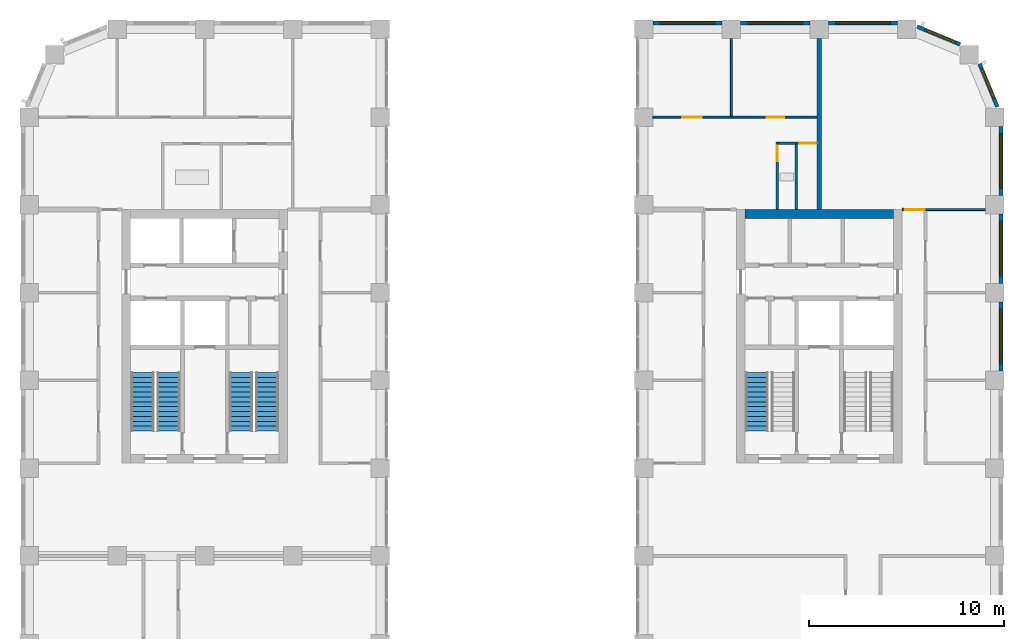
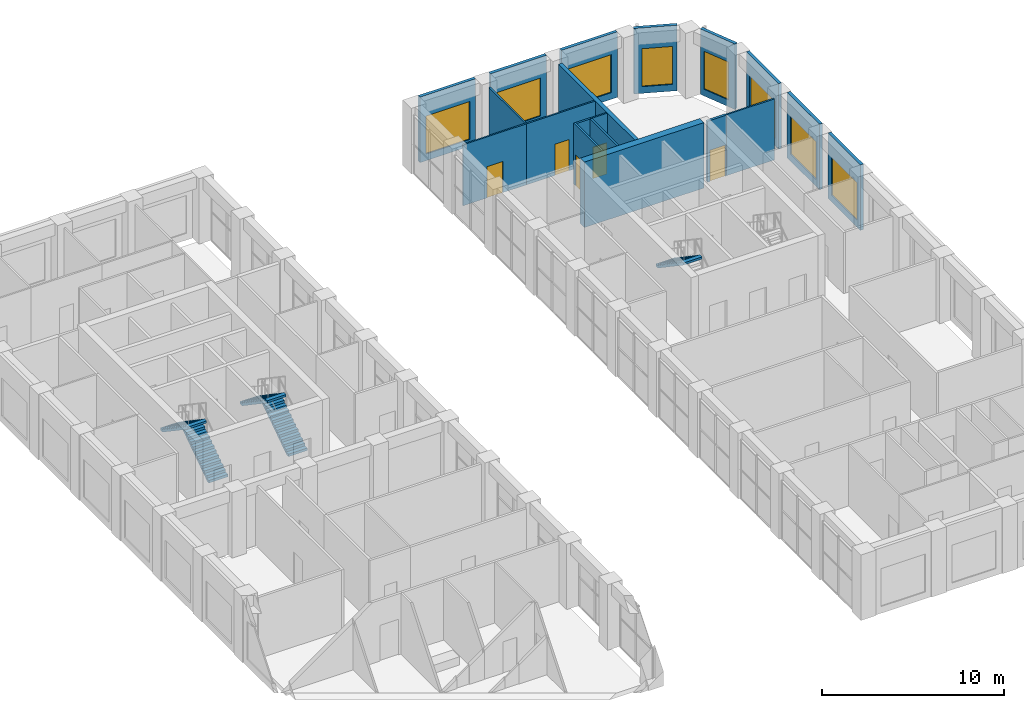
# One storey, part 15 of 19: 19 walls, 8 windows, 5 doors, 5 stair flights, 13 openings, 3 elements without a shape of their own.
"""IFC4 building model written with IfcOpenShell, lengths in metres."""

from ifc_helpers import new_model, si_unit, direction, frame, frame_2d, origin, place, context, subcontext, project, spatial, polyline, rectangle, outline, extrude, material, layer, layer_set, type_object, element, fill, aggregate, save


model = new_model("IFC4")

# Units and contexts
model_context = context("Model", 3, precision=1e-05, world=origin(), true_north=direction((0.0, 1.0)))
body_context = subcontext(model_context, "Body", "Model", "MODEL_VIEW")
ifc_project = project(units=[si_unit("LENGTHUNIT", "METRE"), si_unit("AREAUNIT", "SQUARE_METRE"), si_unit("VOLUMEUNIT", "CUBIC_METRE"), si_unit("PLANEANGLEUNIT", "RADIAN"), si_unit("MASSUNIT", "GRAM", prefix="KILO")], contexts=[model_context])

# Site, building, storey
site_placement = place(None, origin())
site = spatial("IfcSite", under=ifc_project, at=site_placement, CompositionType="ELEMENT")
building_placement = place(site_placement, origin())
building = spatial("IfcBuilding", under=site, at=building_placement, Name="Girih Gate Residences", CompositionType="ELEMENT")
storey_placement = place(building_placement, frame((0.0, 0.0, 163.800048828125)))
storey = spatial("IfcBuildingStorey", under=building, at=storey_placement, Name="L45", CompositionType="ELEMENT", Elevation=163.800048828125)

# Wall
ifc_material_1 = material(Name="Gypsum board on steel studs", Category="steel")
ifc_layer_1 = layer(ifc_material_1, 0.25)
ifc_layer_set_1 = layer_set([ifc_layer_1], Name="Acoustic separating wall 250 mm")
wall_type_1 = type_object("IfcWallType", Name="Acoustic separating wall 250 mm", PredefinedType="PARTITIONING", material=ifc_layer_set_1)
wall_1_placement = place(storey_placement, frame((40.5, 40.25, 0.0), z_axis=(0.0, 0.0, 1.0), x_axis=(0.0, 1.0, 0.0)))
element("IfcWall", 1, at=wall_1_placement, inside=storey, type_object=wall_type_1, Name="L45 partition", PredefinedType="PARTITIONING", context=body_context, shape_type="SweptSolid", body=[
    extrude(rectangle(XDim=8.77490234375, YDim=0.25, at=frame_2d((4.387451171875, 0.0))), origin(), (0.0, 0.0, 1.0), 4.099853515625),
])

# Wall, opening, door
ifc_layer_2 = layer(ifc_material_1, 0.14990234375)
ifc_layer_set_2 = layer_set([ifc_layer_2], Name="Compartment wall 150 mm")
wall_type_2 = type_object("IfcWallType", Name="Compartment wall 150 mm", PredefinedType="PARTITIONING", material=ifc_layer_set_2)
wall_2_placement = place(storey_placement, frame((44.75, 40.25, 0.0), z_axis=(0.0, 0.0, 1.0), x_axis=(1.0, 0.0, 0.0)))
wall_2 = element("IfcWall", 2, at=wall_2_placement, inside=storey, type_object=wall_type_2, Name="L45 partition", PredefinedType="PARTITIONING", context=body_context, shape_type="SweptSolid", body=[
    extrude(rectangle(XDim=1.199951171875, YDim=0.14990234375, at=frame_2d((0.60009765625, 0.0))), origin(), (0.0, 0.0, 1.0), 4.099853515625),
])
opening_1_placement = place(wall_2_placement, frame((0.14990234375, 0.0, 0.0)))
opening_1 = element("IfcOpeningElement", 3, at=opening_1_placement, cuts=wall_2, Name="Opening A45-036", PredefinedType="OPENING", context=body_context, shape_type="SweptSolid", body=[
    extrude(rectangle(XDim=1.0, YDim=2.10009765625, at=frame_2d((0.5, 1.050048828125))), frame((0.0, 0.0849609375, 0.0), z_axis=(0.0, -1.0, 0.0), x_axis=(1.0, 0.0, 0.0)), (0.0, 0.0, 1.0), 0.169921875),
])
ifc_material_2 = material(Name="Timber, fire-rated core", Category="wood")
door_type_1 = type_object("IfcDoorType", Name="Amenity room door 1000x2100 FD30S", OperationType="NOTDEFINED", PredefinedType="DOOR", material=ifc_material_2)
door_1_placement = place(opening_1_placement, origin())
door_1 = element("IfcDoor", 4, at=door_1_placement, inside=storey, type_object=door_type_1, Name="Door A45-036", OperationType="SINGLE_SWING_RIGHT", OverallHeight=2.10009765625, OverallWidth=1.0, PredefinedType="DOOR", context=body_context, shape_type="SweptSolid", body=[
    extrude(rectangle(XDim=1.0, YDim=2.10009765625, at=frame_2d((0.5, 1.050048828125))), frame((0.0, 0.02490234375, 0.0), z_axis=(0.0, -1.0, 0.0), x_axis=(1.0, 0.0, 0.0)), (0.0, 0.0, 1.0), 0.050048828125),
])
fill(opening_1, door_1)

# Wall
ifc_material_3 = material(Name="Concrete C60/75", Category="concrete")
ifc_layer_3 = layer(ifc_material_3, 0.449951171875)
ifc_layer_set_3 = layer_set([ifc_layer_3], Name="Core wall RC 450 Concrete C60/75")
wall_type_3 = type_object("IfcWallType", Name="Core wall RC 450 Concrete C60/75", PredefinedType="SOLIDWALL", material=ifc_layer_set_3)
wall_3_placement = place(storey_placement, frame((36.699951171875, 40.02490234375, 0.0), z_axis=(0.0, 0.0, 1.0), x_axis=(1.0, 0.0, 0.0)))
element("IfcWall", 5, at=wall_3_placement, inside=storey, type_object=wall_type_3, Name="Core wall E-N L45", PredefinedType="SOLIDWALL", context=body_context, shape_type="SweptSolid", body=[
    extrude(rectangle(XDim=7.60009765625, YDim=0.449951171875, at=frame_2d((3.800048828125, 0.0))), origin(), (0.0, 0.0, 1.0), 4.39990234375),
])

# Wall, opening, door
ifc_layer_4 = layer(ifc_material_1, 0.10009765625)
ifc_layer_set_4 = layer_set([ifc_layer_4], Name="Partition 100 mm")
wall_type_4 = type_object("IfcWallType", Name="Partition 100 mm", PredefinedType="PARTITIONING", material=ifc_layer_set_4)
wall_4_placement = place(storey_placement, frame((36.0, 45.0, 0.0), z_axis=(0.0, 0.0, 1.0), x_axis=(1.0, 0.0, 0.0)))
wall_4 = element("IfcWall", 6, at=wall_4_placement, inside=storey, type_object=wall_type_4, Name="L45 partition", PredefinedType="PARTITIONING", context=body_context, shape_type="SweptSolid", body=[
    extrude(rectangle(XDim=4.375, YDim=0.10009765625, at=frame_2d((2.1875, 0.0))), origin(), (0.0, 0.0, 1.0), 4.099853515625),
])
opening_2_placement = place(wall_4_placement, frame((1.800048828125, 0.0, 0.0)))
opening_2 = element("IfcOpeningElement", 7, at=opening_2_placement, cuts=wall_4, Name="Opening A45-026", PredefinedType="OPENING", context=body_context, shape_type="SweptSolid", body=[
    extrude(rectangle(XDim=0.89990234375, YDim=2.10009765625, at=frame_2d((0.449951171875, 1.050048828125))), frame((0.0, 0.06005859375, 0.0), z_axis=(0.0, -1.0, 0.0), x_axis=(1.0, 0.0, 0.0)), (0.0, 0.0, 1.0), 0.1201171875),
])
ifc_material_4 = material(Name="Timber", Category="wood")
door_type_2 = type_object("IfcDoorType", Name="Bedroom door 900x2100", OperationType="NOTDEFINED", PredefinedType="DOOR", material=ifc_material_4)
door_2_placement = place(opening_2_placement, origin())
door_2 = element("IfcDoor", 8, at=door_2_placement, inside=storey, type_object=door_type_2, Name="Door A45-026", OperationType="SINGLE_SWING_RIGHT", OverallHeight=2.10009765625, OverallWidth=0.89990234375, PredefinedType="DOOR", context=body_context, shape_type="SweptSolid", body=[
    extrude(rectangle(XDim=0.89990234375, YDim=2.10009765625, at=frame_2d((0.449951171875, 1.050048828125))), frame((0.0, 0.02490234375, 0.0), z_axis=(0.0, -1.0, 0.0), x_axis=(1.0, 0.0, 0.0)), (0.0, 0.0, 1.0), 0.050048828125),
])
fill(opening_2, door_2)

# Wall
wall_5_placement = place(storey_placement, frame((36.0, 45.050048828125, 0.0), z_axis=(0.0, 0.0, 1.0), x_axis=(0.0, 1.0, 0.0)))
element("IfcWall", 9, at=wall_5_placement, inside=storey, type_object=wall_type_4, Name="L45 partition", PredefinedType="PARTITIONING", context=body_context, shape_type="SweptSolid", body=[
    extrude(rectangle(XDim=3.974853515625, YDim=0.10009765625, at=frame_2d((1.9873046875, 0.0))), origin(), (0.0, 0.0, 1.0), 4.099853515625),
])

# Wall, opening, door
wall_6_placement = place(storey_placement, frame((40.375, 43.659912109375, 0.0), z_axis=(0.0, 0.0, 1.0), x_axis=(-1.0, 0.0, 0.0)))
wall_6 = element("IfcWall", 10, at=wall_6_placement, inside=storey, type_object=wall_type_4, Name="L45 partition", PredefinedType="PARTITIONING", context=body_context, shape_type="SweptSolid", body=[
    extrude(rectangle(XDim=1.047607421875, YDim=0.10009765625, at=frame_2d((0.52392578125, 0.0))), origin(), (0.0, 0.0, 1.0), 4.099853515625),
])
opening_3_placement = place(wall_6_placement, frame((0.011474609375, 0.0, 0.0)))
opening_3 = element("IfcOpeningElement", 11, at=opening_3_placement, cuts=wall_6, Name="Opening A45-027", PredefinedType="OPENING", context=body_context, shape_type="SweptSolid", body=[
    extrude(rectangle(XDim=0.89990234375, YDim=2.10009765625, at=frame_2d((0.449951171875, 1.050048828125))), frame((0.0, 0.06005859375, 0.0), z_axis=(0.0, -1.0, 0.0), x_axis=(1.0, 0.0, 0.0)), (0.0, 0.0, 1.0), 0.1201171875),
])
door_type_3 = type_object("IfcDoorType", Name="Kitchen door 900x2100", OperationType="NOTDEFINED", PredefinedType="DOOR", material=ifc_material_4)
door_3_placement = place(opening_3_placement, origin())
door_3 = element("IfcDoor", 12, at=door_3_placement, inside=storey, type_object=door_type_3, Name="Door A45-027", OperationType="SINGLE_SWING_LEFT", OverallHeight=2.10009765625, OverallWidth=0.89990234375, PredefinedType="DOOR", context=body_context, shape_type="SweptSolid", body=[
    extrude(rectangle(XDim=0.89990234375, YDim=2.10009765625, at=frame_2d((0.449951171875, 1.050048828125))), frame((0.0, 0.02490234375, 0.0), z_axis=(0.0, -1.0, 0.0), x_axis=(1.0, 0.0, 0.0)), (0.0, 0.0, 1.0), 0.050048828125),
])
fill(opening_3, door_3)

wall_7_placement = place(storey_placement, frame((31.97509765625, 45.0, 0.0), z_axis=(0.0, 0.0, 1.0), x_axis=(1.0, 0.0, 0.0)))
wall_7 = element("IfcWall", 13, at=wall_7_placement, inside=storey, type_object=wall_type_4, Name="L45 partition", PredefinedType="PARTITIONING", context=body_context, shape_type="SweptSolid", body=[
    extrude(rectangle(XDim=4.02490234375, YDim=0.10009765625, at=frame_2d((2.012451171875, 0.0))), origin(), (0.0, 0.0, 1.0), 4.099853515625),
])
opening_4_placement = place(wall_7_placement, frame((1.512451171875, 0.0, 0.0)))
opening_4 = element("IfcOpeningElement", 14, at=opening_4_placement, cuts=wall_7, Name="Opening A45-028", PredefinedType="OPENING", context=body_context, shape_type="SweptSolid", body=[
    extrude(rectangle(XDim=1.0, YDim=2.10009765625, at=frame_2d((0.5, 1.050048828125))), frame((0.0, 0.06005859375, 0.0), z_axis=(0.0, -1.0, 0.0), x_axis=(1.0, 0.0, 0.0)), (0.0, 0.0, 1.0), 0.1201171875),
])
door_type_4 = type_object("IfcDoorType", Name="Living room door 1000x2100", OperationType="NOTDEFINED", PredefinedType="DOOR", material=ifc_material_4)
door_4_placement = place(opening_4_placement, origin())
door_4 = element("IfcDoor", 15, at=door_4_placement, inside=storey, type_object=door_type_4, Name="Door A45-028", OperationType="SINGLE_SWING_LEFT", OverallHeight=2.10009765625, OverallWidth=1.0, PredefinedType="DOOR", context=body_context, shape_type="SweptSolid", body=[
    extrude(rectangle(XDim=1.0, YDim=2.10009765625, at=frame_2d((0.5, 1.050048828125))), frame((0.0, 0.02490234375, 0.0), z_axis=(0.0, -1.0, 0.0), x_axis=(1.0, 0.0, 0.0)), (0.0, 0.0, 1.0), 0.050048828125),
])
fill(opening_4, door_4)

# Wall
wall_8_placement = place(storey_placement, frame((45.949951171875, 40.25, 0.0), z_axis=(0.0, 0.0, 1.0), x_axis=(1.0, 0.0, 0.0)))
element("IfcWall", 16, at=wall_8_placement, inside=storey, type_object=wall_type_4, Name="L45 partition", PredefinedType="PARTITIONING", context=body_context, shape_type="SweptSolid", body=[
    extrude(rectangle(XDim=3.074951171875, YDim=0.10009765625, at=frame_2d((1.53759765625, 0.0))), origin(), (0.0, 0.0, 1.0), 4.099853515625),
])

# Wall, opening, window
ifc_material_5 = material(Name="Precast concrete C50/60", Category="concrete")
ifc_layer_5 = layer(ifc_material_5, 0.06005859375, Name="Outer leaf")
ifc_material_6 = material(Name="Rigid PIR insulation")
ifc_layer_6 = layer(ifc_material_6, 0.090087890625, Name="Insulation")
ifc_material_7 = material(Name="Precast concrete C40/50", Category="concrete")
ifc_layer_7 = layer(ifc_material_7, 0.050048828125, Name="Inner leaf")
ifc_layer_set_5 = layer_set([ifc_layer_5, ifc_layer_6, ifc_layer_7], Name="Precast concrete C50/60 external wall 200")
wall_type_5 = type_object("IfcWallType", Name="Precast concrete C50/60 external wall 200", PredefinedType="SOLIDWALL", material=ifc_layer_set_5)
wall_9_placement = place(storey_placement, frame((49.824951171875, 35.52490234375, 0.0), z_axis=(0.0, 0.0, 1.0), x_axis=(0.0, -1.0, 0.0)))
wall_9 = element("IfcWall", 17, at=wall_9_placement, inside=storey, type_object=wall_type_5, Name="External wall E0495_0045.6", PredefinedType="SOLIDWALL", context=body_context, shape_type="SweptSolid", body=[
    extrude(rectangle(XDim=3.5498046875, YDim=0.199951171875, at=frame_2d((1.77490234375, 0.0))), origin(), (0.0, 0.0, 1.0), 4.39990234375),
])
opening_5_placement = place(wall_9_placement, frame((0.375, 0.0, 0.449951171875)))
opening_5 = element("IfcOpeningElement", 18, at=opening_5_placement, cuts=wall_9, Name="Opening W-6A", PredefinedType="OPENING", context=body_context, shape_type="SweptSolid", body=[
    extrude(rectangle(XDim=2.800048828125, YDim=2.550048828125, at=frame_2d((1.39990234375, 1.27490234375))), frame((0.0, 0.10986328125, 0.0), z_axis=(0.0, -1.0, 0.0), x_axis=(1.0, 0.0, 0.0)), (0.0, 0.0, 1.0), 0.219970703125),
])
ifc_material_8 = material(Name="Double glazing in aluminium frame", Category="aluminium")
window_type_1 = type_object("IfcWindowType", Name="Window W-6A 2800x2550", PartitioningType="SINGLE_PANEL", PredefinedType="WINDOW", material=ifc_material_8)
window_1_placement = place(opening_5_placement, origin())
window_1 = element("IfcWindow", 19, at=window_1_placement, inside=storey, type_object=window_type_1, Name="Window W-6A E0495_0045.6", OverallHeight=2.550048828125, OverallWidth=2.800048828125, PartitioningType="SINGLE_PANEL", PredefinedType="WINDOW", context=body_context, shape_type="SweptSolid", body=[
    extrude(rectangle(XDim=2.800048828125, YDim=2.550048828125, at=frame_2d((1.39990234375, 1.27490234375))), frame((0.0, 0.030029296875, 0.0), z_axis=(0.0, -1.0, 0.0), x_axis=(1.0, 0.0, 0.0)), (0.0, 0.0, 1.0), 0.06005859375),
])
fill(opening_5, window_1)

wall_10_placement = place(storey_placement, frame((49.824951171875, 40.02490234375, 0.0), z_axis=(0.0, 0.0, 1.0), x_axis=(0.0, -1.0, 0.0)))
wall_10 = element("IfcWall", 20, at=wall_10_placement, inside=storey, type_object=wall_type_5, Name="External wall E0495_0045.7", PredefinedType="SOLIDWALL", context=body_context, shape_type="SweptSolid", body=[
    extrude(rectangle(XDim=3.5498046875, YDim=0.199951171875, at=frame_2d((1.77490234375, 0.0))), origin(), (0.0, 0.0, 1.0), 4.39990234375),
])
opening_6_placement = place(wall_10_placement, frame((0.375, 0.0, 0.449951171875)))
opening_6 = element("IfcOpeningElement", 21, at=opening_6_placement, cuts=wall_10, Name="Opening W-6A", PredefinedType="OPENING", context=body_context, shape_type="SweptSolid", body=[
    extrude(rectangle(XDim=2.800048828125, YDim=2.550048828125, at=frame_2d((1.39990234375, 1.27490234375))), frame((0.0, 0.10986328125, 0.0), z_axis=(0.0, -1.0, 0.0), x_axis=(1.0, 0.0, 0.0)), (0.0, 0.0, 1.0), 0.219970703125),
])
window_2_placement = place(opening_6_placement, origin())
window_2 = element("IfcWindow", 22, at=window_2_placement, inside=storey, type_object=window_type_1, Name="Window W-6A E0495_0045.7", OverallHeight=2.550048828125, OverallWidth=2.800048828125, PartitioningType="SINGLE_PANEL", PredefinedType="WINDOW", context=body_context, shape_type="SweptSolid", body=[
    extrude(rectangle(XDim=2.800048828125, YDim=2.550048828125, at=frame_2d((1.39990234375, 1.27490234375))), frame((0.0, 0.030029296875, 0.0), z_axis=(0.0, -1.0, 0.0), x_axis=(1.0, 0.0, 0.0)), (0.0, 0.0, 1.0), 0.06005859375),
])
fill(opening_6, window_2)

wall_11_placement = place(storey_placement, frame((49.824951171875, 44.52490234375, 0.0), z_axis=(0.0, 0.0, 1.0), x_axis=(0.0, -1.0, 0.0)))
wall_11 = element("IfcWall", 23, at=wall_11_placement, inside=storey, type_object=wall_type_5, Name="External wall E0495_0045.8", PredefinedType="SOLIDWALL", context=body_context, shape_type="SweptSolid", body=[
    extrude(rectangle(XDim=3.5498046875, YDim=0.199951171875, at=frame_2d((1.77490234375, 0.0))), origin(), (0.0, 0.0, 1.0), 4.39990234375),
])
opening_7_placement = place(wall_11_placement, frame((0.375, 0.0, 0.449951171875)))
opening_7 = element("IfcOpeningElement", 24, at=opening_7_placement, cuts=wall_11, Name="Opening W-6A", PredefinedType="OPENING", context=body_context, shape_type="SweptSolid", body=[
    extrude(rectangle(XDim=2.800048828125, YDim=2.550048828125, at=frame_2d((1.39990234375, 1.27490234375))), frame((0.0, 0.10986328125, 0.0), z_axis=(0.0, -1.0, 0.0), x_axis=(1.0, 0.0, 0.0)), (0.0, 0.0, 1.0), 0.219970703125),
])
window_3_placement = place(opening_7_placement, origin())
window_3 = element("IfcWindow", 25, at=window_3_placement, inside=storey, type_object=window_type_1, Name="Window W-6A E0495_0045.8", OverallHeight=2.550048828125, OverallWidth=2.800048828125, PartitioningType="SINGLE_PANEL", PredefinedType="WINDOW", context=body_context, shape_type="SweptSolid", body=[
    extrude(rectangle(XDim=2.800048828125, YDim=2.550048828125, at=frame_2d((1.39990234375, 1.27490234375))), frame((0.0, 0.030029296875, 0.0), z_axis=(0.0, -1.0, 0.0), x_axis=(1.0, 0.0, 0.0)), (0.0, 0.0, 1.0), 0.06005859375),
])
fill(opening_7, window_3)

wall_12_placement = place(storey_placement, frame((48.7197265625, 47.73291015625, 0.0), z_axis=(0.0, 0.0, 1.0), x_axis=(0.382680855588, -0.923880599843, 0.0)))
wall_12 = element("IfcWall", 26, at=wall_12_placement, inside=storey, type_object=wall_type_5, Name="External wall NE0495_0450.0", PredefinedType="SOLIDWALL", context=body_context, shape_type="SweptSolid", body=[
    extrude(rectangle(XDim=2.402587890625, YDim=0.199951171875, at=frame_2d((1.201171875, 0.0))), origin(), (0.0, 0.0, 1.0), 4.39990234375),
])
opening_8_placement = place(wall_12_placement, frame((0.25146484375, 0.0, 0.449951171875)))
opening_8 = element("IfcOpeningElement", 27, at=opening_8_placement, cuts=wall_12, Name="Opening W-2F", PredefinedType="OPENING", context=body_context, shape_type="SweptSolid", body=[
    extrude(rectangle(XDim=1.699951171875, YDim=2.550048828125, at=frame_2d((0.85009765625, 1.27490234375))), frame((0.0, 0.10986328125, 0.0), z_axis=(0.0, -1.0, 0.0), x_axis=(1.0, 0.0, 0.0)), (0.0, 0.0, 1.0), 0.219970703125),
])
window_type_2 = type_object("IfcWindowType", Name="Window W-2F 1700x2550", PartitioningType="SINGLE_PANEL", PredefinedType="WINDOW", material=ifc_material_8)
window_4_placement = place(opening_8_placement, origin())
window_4 = element("IfcWindow", 28, at=window_4_placement, inside=storey, type_object=window_type_2, Name="Window W-2F NE0495_0450.0", OverallHeight=2.550048828125, OverallWidth=1.699951171875, PartitioningType="SINGLE_PANEL", PredefinedType="WINDOW", context=body_context, shape_type="SweptSolid", body=[
    extrude(rectangle(XDim=1.699951171875, YDim=2.550048828125, at=frame_2d((0.85009765625, 1.27490234375))), frame((0.0, 0.030029296875, 0.0), z_axis=(0.0, -1.0, 0.0), x_axis=(1.0, 0.0, 0.0)), (0.0, 0.0, 1.0), 0.06005859375),
])
fill(opening_8, window_4)

wall_13_placement = place(storey_placement, frame((45.51318359375, 49.63916015625, 0.0), z_axis=(0.0, 0.0, 1.0), x_axis=(0.923880599843, -0.382680855588, 0.0)))
wall_13 = element("IfcWall", 29, at=wall_13_placement, inside=storey, type_object=wall_type_5, Name="External wall NE0482_0482.0", PredefinedType="SOLIDWALL", context=body_context, shape_type="SweptSolid", body=[
    extrude(rectangle(XDim=2.402587890625, YDim=0.199951171875, at=frame_2d((1.201171875, 0.0))), origin(), (0.0, 0.0, 1.0), 4.39990234375),
])
opening_9_placement = place(wall_13_placement, frame((0.451171875, 0.0, 0.449951171875)))
opening_9 = element("IfcOpeningElement", 30, at=opening_9_placement, cuts=wall_13, Name="Opening W-2F", PredefinedType="OPENING", context=body_context, shape_type="SweptSolid", body=[
    extrude(rectangle(XDim=1.699951171875, YDim=2.550048828125, at=frame_2d((0.85009765625, 1.27490234375))), frame((0.0, 0.10986328125, 0.0), z_axis=(0.0, -1.0, 0.0), x_axis=(1.0, 0.0, 0.0)), (0.0, 0.0, 1.0), 0.219970703125),
])
window_5_placement = place(opening_9_placement, origin())
window_5 = element("IfcWindow", 31, at=window_5_placement, inside=storey, type_object=window_type_2, Name="Window W-2F NE0482_0482.0", OverallHeight=2.550048828125, OverallWidth=1.699951171875, PartitioningType="SINGLE_PANEL", PredefinedType="WINDOW", context=body_context, shape_type="SweptSolid", body=[
    extrude(rectangle(XDim=1.699951171875, YDim=2.550048828125, at=frame_2d((0.85009765625, 1.27490234375))), frame((0.0, 0.030029296875, 0.0), z_axis=(0.0, -1.0, 0.0), x_axis=(1.0, 0.0, 0.0)), (0.0, 0.0, 1.0), 0.06005859375),
])
fill(opening_9, window_5)

wall_14_placement = place(storey_placement, frame((40.97509765625, 49.824951171875, 0.0), z_axis=(0.0, 0.0, 1.0), x_axis=(1.0, 0.0, 0.0)))
wall_14 = element("IfcWall", 32, at=wall_14_placement, inside=storey, type_object=wall_type_5, Name="External wall N0450_0495.0", PredefinedType="SOLIDWALL", context=body_context, shape_type="SweptSolid", body=[
    extrude(rectangle(XDim=3.5498046875, YDim=0.199951171875, at=frame_2d((1.77490234375, 0.0))), origin(), (0.0, 0.0, 1.0), 4.39990234375),
])
opening_10_placement = place(wall_14_placement, frame((0.375, 0.0, 0.449951171875)))
opening_10 = element("IfcOpeningElement", 33, at=opening_10_placement, cuts=wall_14, Name="Opening W-6A", PredefinedType="OPENING", context=body_context, shape_type="SweptSolid", body=[
    extrude(rectangle(XDim=2.800048828125, YDim=2.550048828125, at=frame_2d((1.39990234375, 1.27490234375))), frame((0.0, 0.10986328125, 0.0), z_axis=(0.0, -1.0, 0.0), x_axis=(1.0, 0.0, 0.0)), (0.0, 0.0, 1.0), 0.219970703125),
])
window_6_placement = place(opening_10_placement, origin())
window_6 = element("IfcWindow", 34, at=window_6_placement, inside=storey, type_object=window_type_1, Name="Window W-6A N0450_0495.0", OverallHeight=2.550048828125, OverallWidth=2.800048828125, PartitioningType="SINGLE_PANEL", PredefinedType="WINDOW", context=body_context, shape_type="SweptSolid", body=[
    extrude(rectangle(XDim=2.800048828125, YDim=2.550048828125, at=frame_2d((1.39990234375, 1.27490234375))), frame((0.0, 0.030029296875, 0.0), z_axis=(0.0, -1.0, 0.0), x_axis=(1.0, 0.0, 0.0)), (0.0, 0.0, 1.0), 0.06005859375),
])
fill(opening_10, window_6)

wall_15_placement = place(storey_placement, frame((36.47509765625, 49.824951171875, 0.0), z_axis=(0.0, 0.0, 1.0), x_axis=(1.0, 0.0, 0.0)))
wall_15 = element("IfcWall", 35, at=wall_15_placement, inside=storey, type_object=wall_type_5, Name="External wall N0450_0495.1", PredefinedType="SOLIDWALL", context=body_context, shape_type="SweptSolid", body=[
    extrude(rectangle(XDim=3.5498046875, YDim=0.199951171875, at=frame_2d((1.77490234375, 0.0))), origin(), (0.0, 0.0, 1.0), 4.39990234375),
])
opening_11_placement = place(wall_15_placement, frame((0.375, 0.0, 0.449951171875)))
opening_11 = element("IfcOpeningElement", 36, at=opening_11_placement, cuts=wall_15, Name="Opening W-6A", PredefinedType="OPENING", context=body_context, shape_type="SweptSolid", body=[
    extrude(rectangle(XDim=2.800048828125, YDim=2.550048828125, at=frame_2d((1.39990234375, 1.27490234375))), frame((0.0, 0.10986328125, 0.0), z_axis=(0.0, -1.0, 0.0), x_axis=(1.0, 0.0, 0.0)), (0.0, 0.0, 1.0), 0.219970703125),
])
window_7_placement = place(opening_11_placement, origin())
window_7 = element("IfcWindow", 37, at=window_7_placement, inside=storey, type_object=window_type_1, Name="Window W-6A N0450_0495.1", OverallHeight=2.550048828125, OverallWidth=2.800048828125, PartitioningType="SINGLE_PANEL", PredefinedType="WINDOW", context=body_context, shape_type="SweptSolid", body=[
    extrude(rectangle(XDim=2.800048828125, YDim=2.550048828125, at=frame_2d((1.39990234375, 1.27490234375))), frame((0.0, 0.030029296875, 0.0), z_axis=(0.0, -1.0, 0.0), x_axis=(1.0, 0.0, 0.0)), (0.0, 0.0, 1.0), 0.06005859375),
])
fill(opening_11, window_7)

wall_16_placement = place(storey_placement, frame((31.97509765625, 49.824951171875, 0.0), z_axis=(0.0, 0.0, 1.0), x_axis=(1.0, 0.0, 0.0)))
wall_16 = element("IfcWall", 38, at=wall_16_placement, inside=storey, type_object=wall_type_5, Name="External wall N0450_0495.2", PredefinedType="SOLIDWALL", context=body_context, shape_type="SweptSolid", body=[
    extrude(rectangle(XDim=3.5498046875, YDim=0.199951171875, at=frame_2d((1.77490234375, 0.0))), origin(), (0.0, 0.0, 1.0), 4.39990234375),
])
opening_12_placement = place(wall_16_placement, frame((0.375, 0.0, 0.449951171875)))
opening_12 = element("IfcOpeningElement", 39, at=opening_12_placement, cuts=wall_16, Name="Opening W-6A", PredefinedType="OPENING", context=body_context, shape_type="SweptSolid", body=[
    extrude(rectangle(XDim=2.800048828125, YDim=2.550048828125, at=frame_2d((1.39990234375, 1.27490234375))), frame((0.0, 0.10986328125, 0.0), z_axis=(0.0, -1.0, 0.0), x_axis=(1.0, 0.0, 0.0)), (0.0, 0.0, 1.0), 0.219970703125),
])
window_8_placement = place(opening_12_placement, origin())
window_8 = element("IfcWindow", 40, at=window_8_placement, inside=storey, type_object=window_type_1, Name="Window W-6A N0450_0495.2", OverallHeight=2.550048828125, OverallWidth=2.800048828125, PartitioningType="SINGLE_PANEL", PredefinedType="WINDOW", context=body_context, shape_type="SweptSolid", body=[
    extrude(rectangle(XDim=2.800048828125, YDim=2.550048828125, at=frame_2d((1.39990234375, 1.27490234375))), frame((0.0, 0.030029296875, 0.0), z_axis=(0.0, -1.0, 0.0), x_axis=(1.0, 0.0, 0.0)), (0.0, 0.0, 1.0), 0.06005859375),
])
fill(opening_12, window_8)

# Wall, opening, door
ifc_layer_8 = layer(ifc_material_1, 0.125)
ifc_layer_set_6 = layer_set([ifc_layer_8], Name="Wet room wall 125 mm")
wall_type_6 = type_object("IfcWallType", Name="Wet room wall 125 mm", PredefinedType="PARTITIONING", material=ifc_layer_set_6)
wall_17_placement = place(storey_placement, frame((38.35009765625, 43.722412109375, 0.0), z_axis=(0.0, 0.0, 1.0), x_axis=(0.0, -1.0, 0.0)))
wall_17 = element("IfcWall", 41, at=wall_17_placement, inside=storey, type_object=wall_type_6, Name="L45 partition", PredefinedType="PARTITIONING", context=body_context, shape_type="SweptSolid", body=[
    extrude(rectangle(XDim=3.472412109375, YDim=0.125, at=frame_2d((1.736328125, 0.0))), origin(), (0.0, 0.0, 1.0), 4.099853515625),
])
opening_13_placement = place(wall_17_placement, frame((0.1826171875, 0.0, 0.0)))
opening_13 = element("IfcOpeningElement", 42, at=opening_13_placement, cuts=wall_17, Name="Opening A45-025", PredefinedType="OPENING", context=body_context, shape_type="SweptSolid", body=[
    extrude(rectangle(XDim=0.800048828125, YDim=2.10009765625, at=frame_2d((0.39990234375, 1.050048828125))), frame((0.0, 0.072509765625, 0.0), z_axis=(0.0, -1.0, 0.0), x_axis=(1.0, 0.0, 0.0)), (0.0, 0.0, 1.0), 0.14501953125),
])
door_type_5 = type_object("IfcDoorType", Name="Bathroom door 800x2100", OperationType="NOTDEFINED", PredefinedType="DOOR", material=ifc_material_4)
door_5_placement = place(opening_13_placement, origin())
door_5 = element("IfcDoor", 43, at=door_5_placement, inside=storey, type_object=door_type_5, Name="Door A45-025", OperationType="SINGLE_SWING_LEFT", OverallHeight=2.10009765625, OverallWidth=0.800048828125, PredefinedType="DOOR", context=body_context, shape_type="SweptSolid", body=[
    extrude(rectangle(XDim=0.800048828125, YDim=2.10009765625, at=frame_2d((0.39990234375, 1.050048828125))), frame((0.0, 0.02490234375, 0.0), z_axis=(0.0, -1.0, 0.0), x_axis=(1.0, 0.0, 0.0)), (0.0, 0.0, 1.0), 0.050048828125),
])
fill(opening_13, door_5)

# Walls
wall_18_placement = place(storey_placement, frame((38.41259765625, 43.659912109375, 0.0), z_axis=(0.0, 0.0, 1.0), x_axis=(1.0, 0.0, 0.0)))
element("IfcWall", 44, at=wall_18_placement, inside=storey, type_object=wall_type_6, Name="L45 partition", PredefinedType="PARTITIONING", context=body_context, shape_type="SweptSolid", body=[
    extrude(rectangle(XDim=0.914794921875, YDim=0.125, at=frame_2d((0.45751953125, 0.0))), origin(), (0.0, 0.0, 1.0), 4.099853515625),
])
wall_19_placement = place(storey_placement, frame((39.326904296875, 40.25, 0.0), z_axis=(0.0, 0.0, 1.0), x_axis=(0.0, 1.0, 0.0)))
element("IfcWall", 45, at=wall_19_placement, inside=storey, type_object=wall_type_6, Name="L45 partition", PredefinedType="PARTITIONING", context=body_context, shape_type="SweptSolid", body=[
    extrude(rectangle(XDim=3.347412109375, YDim=0.125, at=frame_2d((1.673828125, 0.0))), origin(), (0.0, 0.0, 1.0), 4.099853515625),
])

# Stair, stair flights
ifc_material_9 = material(Name="Concrete C40/50", Category="concrete")
stair_type = type_object("IfcStairType", Name="Exit stair", PredefinedType="HALF_TURN_STAIR", material=ifc_material_9)
stair_1_placement = place(storey_placement, origin())
stair_1 = element("IfcStair", 46, at=stair_1_placement, inside=storey, type_object=stair_type, Name="L45 Exit Stair ST-W1", PredefinedType="HALF_TURN_STAIR")
stair_flight_type = type_object("IfcStairFlightType", Name="Stair flight 1200", PredefinedType="STRAIGHT", material=ifc_material_9)
stair_flight_1_placement = place(storey_placement, frame((7.14990234375, 28.89990234375, 0.0), z_axis=(0.0, 0.0, 1.0), x_axis=(0.0, 1.0, 0.0)))
stair_flight_1 = element("IfcStairFlight", 47, at=stair_flight_1_placement, type_object=stair_flight_type, Name="ST-W1 flight 1", NumberOfRisers=13, NumberOfTreads=12, PredefinedType="STRAIGHT", RiserHeight=0.169230769, TreadLength=0.25, context=body_context, shape_type="SweptSolid", body=[
    extrude(outline(polyline([(0.0, 0.0), (0.0, 0.169189453125), (0.25, 0.169189453125), (0.25, 0.33837890625), (0.5, 0.33837890625), (0.5, 0.5078125), (0.75, 0.5078125), (0.75, 0.677001953125), (1.0, 0.677001953125), (1.0, 0.84619140625), (1.25, 0.84619140625), (1.25, 1.015380859375), (1.5, 1.015380859375), (1.5, 1.1845703125), (1.75, 1.1845703125), (1.75, 1.353759765625), (2.0, 1.353759765625), (2.0, 1.523193359375), (2.25, 1.523193359375), (2.25, 1.6923828125), (2.5, 1.6923828125), (2.5, 1.861572265625), (2.75, 1.861572265625), (2.75, 2.03076171875), (3.0, 2.03076171875), (3.0, 2.199951171875), (3.0, 1.8857421875), (0.21435546875, 0.0), (0.0, 0.0)])), frame((0.0, 0.60009765625, 0.0), z_axis=(0.0, -1.0, 0.0), x_axis=(1.0, 0.0, 0.0)), (0.0, 0.0, 1.0), 1.199951171875),
])
stair_flight_2_placement = place(storey_placement, frame((5.800048828125, 31.89990234375, 2.199951171875), z_axis=(0.0, 0.0, 1.0), x_axis=(0.0, -1.0, 0.0)))
stair_flight_2 = element("IfcStairFlight", 48, at=stair_flight_2_placement, type_object=stair_flight_type, Name="ST-W1 flight 2", NumberOfRisers=13, NumberOfTreads=12, PredefinedType="STRAIGHT", RiserHeight=0.169230769, TreadLength=0.25, context=body_context, shape_type="SweptSolid", body=[
    extrude(outline(polyline([(0.0, 0.0), (0.0, 0.169189453125), (0.25, 0.169189453125), (0.25, 0.33837890625), (0.5, 0.33837890625), (0.5, 0.5078125), (0.75, 0.5078125), (0.75, 0.677001953125), (1.0, 0.677001953125), (1.0, 0.84619140625), (1.25, 0.84619140625), (1.25, 1.015380859375), (1.5, 1.015380859375), (1.5, 1.1845703125), (1.75, 1.1845703125), (1.75, 1.353759765625), (2.0, 1.353759765625), (2.0, 1.523193359375), (2.25, 1.523193359375), (2.25, 1.6923828125), (2.5, 1.6923828125), (2.5, 1.861572265625), (2.75, 1.861572265625), (2.75, 2.03076171875), (3.0, 2.03076171875), (3.0, 2.199951171875), (3.0, 1.8857421875), (0.21435546875, 0.0), (0.0, 0.0)])), frame((0.0, 0.60009765625, 0.0), z_axis=(0.0, -1.0, 0.0), x_axis=(1.0, 0.0, 0.0)), (0.0, 0.0, 1.0), 1.199951171875),
])
aggregate(stair_1, [stair_flight_1, stair_flight_2])

stair_2_placement = place(storey_placement, origin())
stair_2 = element("IfcStair", 49, at=stair_2_placement, inside=storey, type_object=stair_type, Name="L45 Exit Stair ST-W2", PredefinedType="HALF_TURN_STAIR")
stair_flight_3_placement = place(storey_placement, frame((12.199951171875, 28.89990234375, 0.0), z_axis=(0.0, 0.0, 1.0), x_axis=(0.0, 1.0, 0.0)))
stair_flight_3 = element("IfcStairFlight", 50, at=stair_flight_3_placement, type_object=stair_flight_type, Name="ST-W2 flight 1", NumberOfRisers=13, NumberOfTreads=12, PredefinedType="STRAIGHT", RiserHeight=0.169230769, TreadLength=0.25, context=body_context, shape_type="SweptSolid", body=[
    extrude(outline(polyline([(0.0, 0.0), (0.0, 0.169189453125), (0.25, 0.169189453125), (0.25, 0.33837890625), (0.5, 0.33837890625), (0.5, 0.5078125), (0.75, 0.5078125), (0.75, 0.677001953125), (1.0, 0.677001953125), (1.0, 0.84619140625), (1.25, 0.84619140625), (1.25, 1.015380859375), (1.5, 1.015380859375), (1.5, 1.1845703125), (1.75, 1.1845703125), (1.75, 1.353759765625), (2.0, 1.353759765625), (2.0, 1.523193359375), (2.25, 1.523193359375), (2.25, 1.6923828125), (2.5, 1.6923828125), (2.5, 1.861572265625), (2.75, 1.861572265625), (2.75, 2.03076171875), (3.0, 2.03076171875), (3.0, 2.199951171875), (3.0, 1.8857421875), (0.21435546875, 0.0), (0.0, 0.0)])), frame((0.0, 0.60009765625, 0.0), z_axis=(0.0, -1.0, 0.0), x_axis=(1.0, 0.0, 0.0)), (0.0, 0.0, 1.0), 1.199951171875),
])
stair_flight_4_placement = place(storey_placement, frame((10.85009765625, 31.89990234375, 2.199951171875), z_axis=(0.0, 0.0, 1.0), x_axis=(0.0, -1.0, 0.0)))
stair_flight_4 = element("IfcStairFlight", 51, at=stair_flight_4_placement, type_object=stair_flight_type, Name="ST-W2 flight 2", NumberOfRisers=13, NumberOfTreads=12, PredefinedType="STRAIGHT", RiserHeight=0.169230769, TreadLength=0.25, context=body_context, shape_type="SweptSolid", body=[
    extrude(outline(polyline([(0.0, 0.0), (0.0, 0.169189453125), (0.25, 0.169189453125), (0.25, 0.33837890625), (0.5, 0.33837890625), (0.5, 0.5078125), (0.75, 0.5078125), (0.75, 0.677001953125), (1.0, 0.677001953125), (1.0, 0.84619140625), (1.25, 0.84619140625), (1.25, 1.015380859375), (1.5, 1.015380859375), (1.5, 1.1845703125), (1.75, 1.1845703125), (1.75, 1.353759765625), (2.0, 1.353759765625), (2.0, 1.523193359375), (2.25, 1.523193359375), (2.25, 1.6923828125), (2.5, 1.6923828125), (2.5, 1.861572265625), (2.75, 1.861572265625), (2.75, 2.03076171875), (3.0, 2.03076171875), (3.0, 2.199951171875), (3.0, 1.8857421875), (0.21435546875, 0.0), (0.0, 0.0)])), frame((0.0, 0.60009765625, 0.0), z_axis=(0.0, -1.0, 0.0), x_axis=(1.0, 0.0, 0.0)), (0.0, 0.0, 1.0), 1.199951171875),
])
aggregate(stair_2, [stair_flight_3, stair_flight_4])

# Stair, stair flight
stair_3_placement = place(storey_placement, origin())
stair_3 = element("IfcStair", 52, at=stair_3_placement, inside=storey, type_object=stair_type, Name="L45 Exit Stair ST-E2", PredefinedType="HALF_TURN_STAIR")
stair_flight_5_placement = place(storey_placement, frame((37.300048828125, 31.89990234375, 2.199951171875), z_axis=(0.0, 0.0, 1.0), x_axis=(0.0, -1.0, 0.0)))
stair_flight_5 = element("IfcStairFlight", 53, at=stair_flight_5_placement, type_object=stair_flight_type, Name="ST-E2 flight 2", NumberOfRisers=13, NumberOfTreads=12, PredefinedType="STRAIGHT", RiserHeight=0.169230769, TreadLength=0.25, context=body_context, shape_type="SweptSolid", body=[
    extrude(outline(polyline([(0.0, 0.0), (0.0, 0.169189453125), (0.25, 0.169189453125), (0.25, 0.33837890625), (0.5, 0.33837890625), (0.5, 0.5078125), (0.75, 0.5078125), (0.75, 0.677001953125), (1.0, 0.677001953125), (1.0, 0.84619140625), (1.25, 0.84619140625), (1.25, 1.015380859375), (1.5, 1.015380859375), (1.5, 1.1845703125), (1.75, 1.1845703125), (1.75, 1.353759765625), (2.0, 1.353759765625), (2.0, 1.523193359375), (2.25, 1.523193359375), (2.25, 1.6923828125), (2.5, 1.6923828125), (2.5, 1.861572265625), (2.75, 1.861572265625), (2.75, 2.03076171875), (3.0, 2.03076171875), (3.0, 2.199951171875), (3.0, 1.8857421875), (0.21435546875, 0.0), (0.0, 0.0)])), frame((0.0, 0.60009765625, 0.0), z_axis=(0.0, -1.0, 0.0), x_axis=(1.0, 0.0, 0.0)), (0.0, 0.0, 1.0), 1.199951171875),
])
aggregate(stair_3, [stair_flight_5])

save(model, "model.ifc")
